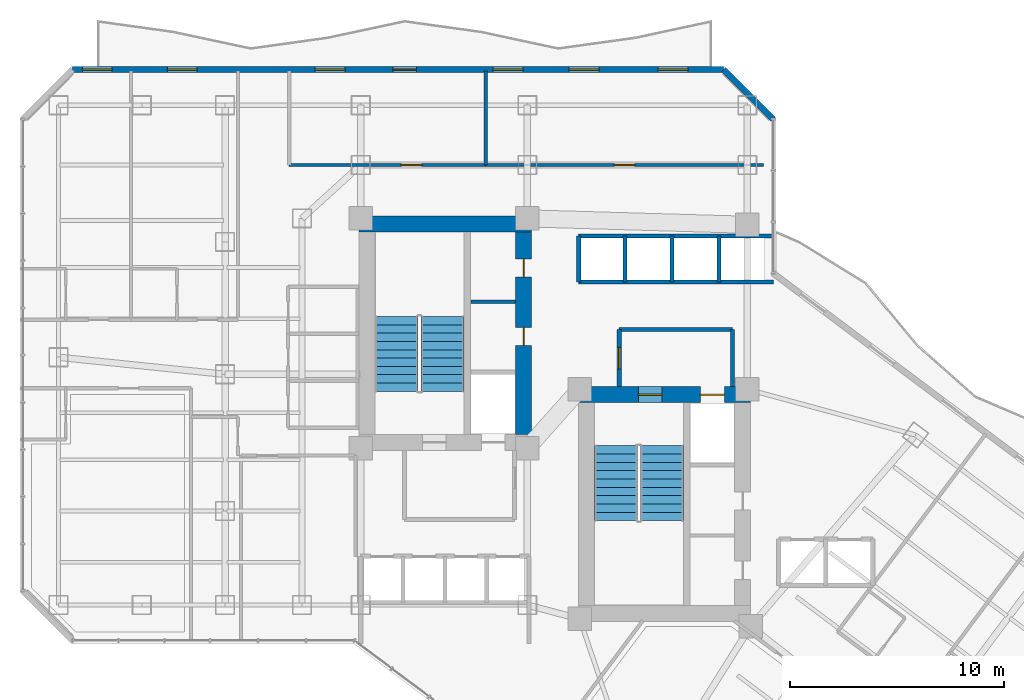
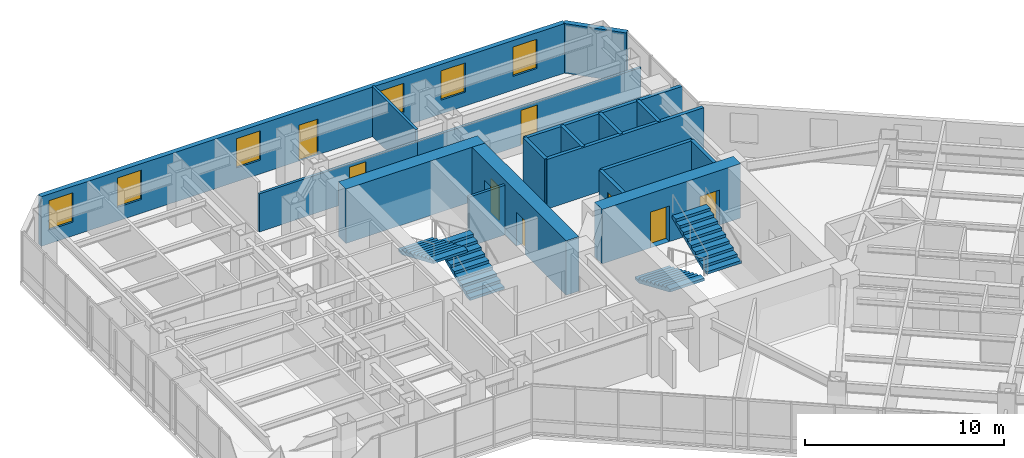
# One storey, part 31 of 36: 18 walls, 8 doors, 6 windows, 4 stair flights, 14 openings, 2 elements without a shape of their own.
"""IFC4 building model written with IfcOpenShell, lengths in metres."""

from ifc_helpers import new_model, si_unit, direction, frame, frame_2d, origin, place, context, subcontext, project, spatial, polyline, rectangle, outline, extrude, material, layer, layer_set, type_object, element, fill, aggregate, save


model = new_model("IFC4")

# Units and contexts
model_context = context("Model", 3, precision=1e-05, world=origin(), true_north=direction((0.0, 1.0)))
body_context = subcontext(model_context, "Body", "Model", "MODEL_VIEW")
ifc_project = project(units=[si_unit("LENGTHUNIT", "METRE"), si_unit("AREAUNIT", "SQUARE_METRE"), si_unit("VOLUMEUNIT", "CUBIC_METRE"), si_unit("PLANEANGLEUNIT", "RADIAN"), si_unit("MASSUNIT", "GRAM", prefix="KILO")], contexts=[model_context])

# Site, building, storey
site_placement = place(None, origin())
site = spatial("IfcSite", under=ifc_project, at=site_placement, CompositionType="ELEMENT")
building_placement = place(site_placement, origin())
building = spatial("IfcBuilding", under=site, at=building_placement, Name="Hatsunagi Terrace Concourse", CompositionType="ELEMENT")
storey_placement = place(building_placement, frame((0.0, 0.0, 88.0)))
storey = spatial("IfcBuildingStorey", under=building, at=storey_placement, Name="L23", CompositionType="ELEMENT", Elevation=88.0)

# Wall
ifc_material_1 = material(Name="Concrete Fc60", Category="concrete")
ifc_layer_1 = layer(ifc_material_1, 0.75)
ifc_layer_set_1 = layer_set([ifc_layer_1], Name="CoreShearWall_Fc60_750")
wall_type_1 = type_object("IfcWallType", Name="CoreShearWall_Fc60_750", PredefinedType="SHEAR", material=ifc_layer_set_1)
wall_1_placement = place(storey_placement, frame((25.469970703125, 43.044921875, 0.0), z_axis=(0.0, 0.0, 1.0), x_axis=(1.0, 0.0, 0.0)))
element("IfcWall", 1, at=wall_1_placement, inside=storey, type_object=wall_type_1, Name="Core A Shear Wall N L23", PredefinedType="SHEAR", context=body_context, shape_type="SweptSolid", body=[
    extrude(rectangle(XDim=8.080078125, YDim=0.75, at=frame_2d((4.0400390625, 0.0))), origin(), (0.0, 0.0, 1.0), 3.35009765625),
])

# Wall, openings, doors
wall_2_placement = place(storey_placement, frame((33.175048828125, 33.18994140625, 0.0), z_axis=(0.0, 0.0, 1.0), x_axis=(0.0, 1.0, 0.0)))
wall_2 = element("IfcWall", 2, at=wall_2_placement, inside=storey, type_object=wall_type_1, Name="Core A Shear Wall E L23", PredefinedType="SHEAR", context=body_context, shape_type="SweptSolid", body=[
    extrude(rectangle(XDim=9.47998046875, YDim=0.75, at=frame_2d((4.739990234375, 0.0))), origin(), (0.0, 0.0, 1.0), 3.35009765625),
])
opening_1_placement = place(wall_2_placement, frame((4.159912109375, 0.0, 0.0)))
opening_1 = element("IfcOpeningElement", 3, at=opening_1_placement, cuts=wall_2, Name="Opening DR-085", PredefinedType="OPENING", context=body_context, shape_type="SweptSolid", body=[
    extrude(rectangle(XDim=0.85009765625, YDim=2.080078125, at=frame_2d((0.425048828125, 1.0400390625))), frame((0.0, 0.385009765625, 0.0), z_axis=(0.0, -1.0, 0.0), x_axis=(1.0, 0.0, 0.0)), (0.0, 0.0, 1.0), 0.77001953125),
])
opening_2_placement = place(wall_2_placement, frame((7.360107421875, 0.0, 0.0)))
opening_2 = element("IfcOpeningElement", 4, at=opening_2_placement, cuts=wall_2, Name="Opening DR-085", PredefinedType="OPENING", context=body_context, shape_type="SweptSolid", body=[
    extrude(rectangle(XDim=0.85009765625, YDim=2.080078125, at=frame_2d((0.425048828125, 1.0400390625))), frame((0.0, 0.385009765625, 0.0), z_axis=(0.0, -1.0, 0.0), x_axis=(1.0, 0.0, 0.0)), (0.0, 0.0, 1.0), 0.77001953125),
])
ifc_material_2 = material(Name="Painted steel", Category="steel")
door_type_1 = type_object("IfcDoorType", Name="RiserAccessDoor_EI60_850", OperationType="NOTDEFINED", PredefinedType="DOOR", material=ifc_material_2)
door_1_placement = place(opening_1_placement, origin())
door_1 = element("IfcDoor", 5, at=door_1_placement, inside=storey, type_object=door_type_1, Name="Core A Riser Door L23-1", OperationType="SINGLE_SWING_LEFT", OverallHeight=2.080078125, OverallWidth=0.85009765625, PredefinedType="DOOR", context=body_context, shape_type="SweptSolid", body=[
    extrude(rectangle(XDim=0.85009765625, YDim=2.080078125, at=frame_2d((0.425048828125, 1.0400390625))), frame((0.0, 0.02490234375, 0.0), z_axis=(0.0, -1.0, 0.0), x_axis=(1.0, 0.0, 0.0)), (0.0, 0.0, 1.0), 0.050048828125),
])
fill(opening_1, door_1)
door_2_placement = place(opening_2_placement, origin())
door_2 = element("IfcDoor", 6, at=door_2_placement, inside=storey, type_object=door_type_1, Name="Core A Riser Door L23-2", OperationType="SINGLE_SWING_LEFT", OverallHeight=2.080078125, OverallWidth=0.85009765625, PredefinedType="DOOR", context=body_context, shape_type="SweptSolid", body=[
    extrude(rectangle(XDim=0.85009765625, YDim=2.080078125, at=frame_2d((0.425048828125, 1.0400390625))), frame((0.0, 0.02490234375, 0.0), z_axis=(0.0, -1.0, 0.0), x_axis=(1.0, 0.0, 0.0)), (0.0, 0.0, 1.0), 0.050048828125),
])
fill(opening_2, door_2)

wall_3_placement = place(storey_placement, frame((35.739990234375, 35.044921875, 0.0), z_axis=(0.0, 0.0, 1.0), x_axis=(1.0, 0.0, 0.0)))
wall_3 = element("IfcWall", 7, at=wall_3_placement, inside=storey, type_object=wall_type_1, Name="Core B Shear Wall N L23", PredefinedType="SHEAR", context=body_context, shape_type="SweptSolid", body=[
    extrude(rectangle(XDim=8.06005859375, YDim=0.75, at=frame_2d((4.030029296875, 0.0))), origin(), (0.0, 0.0, 1.0), 3.35009765625),
])
opening_3_placement = place(wall_3_placement, frame((2.81005859375, 0.0, 0.0)))
opening_3 = element("IfcOpeningElement", 8, at=opening_3_placement, cuts=wall_3, Name="Opening DR-110S", PredefinedType="OPENING", context=body_context, shape_type="SweptSolid", body=[
    extrude(rectangle(XDim=1.10009765625, YDim=2.199951171875, at=frame_2d((0.550048828125, 1.10009765625))), frame((0.0, 0.385009765625, 0.0), z_axis=(0.0, -1.0, 0.0), x_axis=(1.0, 0.0, 0.0)), (0.0, 0.0, 1.0), 0.77001953125),
])
opening_4_placement = place(wall_3_placement, frame((5.7099609375, 0.0, 0.0)))
opening_4 = element("IfcOpeningElement", 9, at=opening_4_placement, cuts=wall_3, Name="Opening LD-02", PredefinedType="OPENING", context=body_context, shape_type="SweptSolid", body=[
    extrude(rectangle(XDim=1.1201171875, YDim=2.14990234375, at=frame_2d((0.56005859375, 1.074951171875))), frame((0.0, 0.385009765625, 0.0), z_axis=(0.0, -1.0, 0.0), x_axis=(1.0, 0.0, 0.0)), (0.0, 0.0, 1.0), 0.77001953125),
])
ifc_material_3 = material(Name="Stainless steel", Category="steel")
door_type_2 = type_object("IfcDoorType", Name="LiftLandingDoor_LD02", OperationType="SLIDING_TO_RIGHT", PredefinedType="USERDEFINED", material=ifc_material_3)
door_3_placement = place(opening_4_placement, origin())
door_3 = element("IfcDoor", 10, at=door_3_placement, inside=storey, type_object=door_type_2, Name="Lift landing door FF-02 L23", ObjectType="SLIDING_LANDING_DOOR", OperationType="SLIDING_TO_RIGHT", OverallHeight=2.14990234375, OverallWidth=1.1201171875, PredefinedType="USERDEFINED", context=body_context, shape_type="SweptSolid", body=[
    extrude(rectangle(XDim=1.1201171875, YDim=2.14990234375, at=frame_2d((0.56005859375, 1.074951171875))), frame((0.0, 0.02490234375, 0.0), z_axis=(0.0, -1.0, 0.0), x_axis=(1.0, 0.0, 0.0)), (0.0, 0.0, 1.0), 0.050048828125),
])
fill(opening_4, door_3)
ifc_material_4 = material(Name="Painted steel", Category="steel")
door_type_3 = type_object("IfcDoorType", Name="StairFireDoor_EI60_1100", OperationType="NOTDEFINED", PredefinedType="DOOR", material=ifc_material_4)
door_4_placement = place(opening_3_placement, origin())
door_4 = element("IfcDoor", 11, at=door_4_placement, inside=storey, type_object=door_type_3, Name="Stair ST-B Exit Door L23", OperationType="SINGLE_SWING_RIGHT", OverallHeight=2.199951171875, OverallWidth=1.10009765625, PredefinedType="DOOR", context=body_context, shape_type="SweptSolid", body=[
    extrude(rectangle(XDim=1.10009765625, YDim=2.199951171875, at=frame_2d((0.550048828125, 1.10009765625))), frame((0.0, 0.02490234375, 0.0), z_axis=(0.0, -1.0, 0.0), x_axis=(1.0, 0.0, 0.0)), (0.0, 0.0, 1.0), 0.050048828125),
])
fill(opening_3, door_4)

# Wall
ifc_material_5 = material(Name="Acoustic mineral board", Category="gypsum")
ifc_layer_2 = layer(ifc_material_5, 0.14990234375)
ifc_layer_set_2 = layer_set([ifc_layer_2], Name="PartitionWall_EI60_150")
wall_type_2 = type_object("IfcWallType", Name="PartitionWall_EI60_150", PredefinedType="PARTITIONING", material=ifc_layer_set_2)
wall_4_placement = place(storey_placement, frame((30.699951171875, 39.39990234375, 0.0), z_axis=(0.0, 0.0, 1.0), x_axis=(1.0, 0.0, 0.0)))
element("IfcWall", 12, at=wall_4_placement, inside=storey, type_object=wall_type_2, Name="Interior Partition IW-L23-002", PredefinedType="PARTITIONING", context=body_context, shape_type="SweptSolid", body=[
    extrude(rectangle(XDim=2.10009765625, YDim=0.14990234375, at=frame_2d((1.050048828125, 0.0))), origin(), (0.0, 0.0, 1.0), 3.050048828125),
])

# Wall, opening, door
wall_5_placement = place(storey_placement, frame((22.199951171875, 45.800048828125, 0.0), z_axis=(0.0, 0.0, 1.0), x_axis=(1.0, 0.0, 0.0)))
wall_5 = element("IfcWall", 13, at=wall_5_placement, inside=storey, type_object=wall_type_2, Name="Interior Partition IW-L23-037", PredefinedType="PARTITIONING", context=body_context, shape_type="SweptSolid", body=[
    extrude(rectangle(XDim=9.199951171875, YDim=0.14990234375, at=frame_2d((4.60009765625, 0.0))), origin(), (0.0, 0.0, 1.0), 2.344970703125),
])
opening_5_placement = place(wall_5_placement, frame((5.248046875, 0.0, 0.0)))
opening_5 = element("IfcOpeningElement", 14, at=opening_5_placement, cuts=wall_5, Name="Opening DR-095", PredefinedType="OPENING", context=body_context, shape_type="SweptSolid", body=[
    extrude(rectangle(XDim=0.949951171875, YDim=2.14990234375, at=frame_2d((0.47509765625, 1.074951171875))), frame((0.0, 0.0849609375, 0.0), z_axis=(0.0, -1.0, 0.0), x_axis=(1.0, 0.0, 0.0)), (0.0, 0.0, 1.0), 0.169921875),
])
ifc_material_6 = material(Name="Hardwood timber", Category="wood")
door_type_4 = type_object("IfcDoorType", Name="InteriorSuiteDoor_EI30_950", OperationType="NOTDEFINED", PredefinedType="DOOR", material=ifc_material_6)
door_5_placement = place(opening_5_placement, origin())
door_5 = element("IfcDoor", 15, at=door_5_placement, inside=storey, type_object=door_type_4, Name="Housekeeping Linen Room L23-HLIN Door", OperationType="SINGLE_SWING_LEFT", OverallHeight=2.14990234375, OverallWidth=0.949951171875, PredefinedType="DOOR", context=body_context, shape_type="SweptSolid", body=[
    extrude(rectangle(XDim=0.949951171875, YDim=2.14990234375, at=frame_2d((0.47509765625, 1.074951171875))), frame((0.0, 0.02490234375, 0.0), z_axis=(0.0, -1.0, 0.0), x_axis=(1.0, 0.0, 0.0)), (0.0, 0.0, 1.0), 0.050048828125),
])
fill(opening_5, door_5)

# Wall
wall_6_placement = place(storey_placement, frame((31.39990234375, 45.800048828125, 0.0), z_axis=(0.0, 0.0, 1.0), x_axis=(0.0, 1.0, 0.0)))
element("IfcWall", 16, at=wall_6_placement, inside=storey, type_object=wall_type_2, Name="Interior Partition IW-L23-039", PredefinedType="PARTITIONING", context=body_context, shape_type="SweptSolid", body=[
    extrude(rectangle(XDim=4.39990234375, YDim=0.14990234375, at=frame_2d((2.199951171875, 0.0))), origin(), (0.0, 0.0, 1.0), 3.050048828125),
])

# Wall, opening, door
wall_7_placement = place(storey_placement, frame((31.39990234375, 45.800048828125, 0.0), z_axis=(0.0, 0.0, 1.0), x_axis=(1.0, 0.0, 0.0)))
wall_7 = element("IfcWall", 17, at=wall_7_placement, inside=storey, type_object=wall_type_2, Name="Interior Partition IW-L23-040", PredefinedType="PARTITIONING", context=body_context, shape_type="SweptSolid", body=[
    extrude(rectangle(XDim=13.0, YDim=0.14990234375, at=frame_2d((6.5, 0.0))), origin(), (0.0, 0.0, 1.0), 2.344970703125),
])
opening_6_placement = place(wall_7_placement, frame((6.02490234375, 0.0, 0.0)))
opening_6 = element("IfcOpeningElement", 18, at=opening_6_placement, cuts=wall_7, Name="Opening DR-095", PredefinedType="OPENING", context=body_context, shape_type="SweptSolid", body=[
    extrude(rectangle(XDim=0.949951171875, YDim=2.14990234375, at=frame_2d((0.47509765625, 1.074951171875))), frame((0.0, 0.0849609375, 0.0), z_axis=(0.0, -1.0, 0.0), x_axis=(1.0, 0.0, 0.0)), (0.0, 0.0, 1.0), 0.169921875),
])
door_6_placement = place(opening_6_placement, origin())
door_6 = element("IfcDoor", 19, at=door_6_placement, inside=storey, type_object=door_type_4, Name="VIP Lounge L23-HLNG Door", OperationType="SINGLE_SWING_LEFT", OverallHeight=2.14990234375, OverallWidth=0.949951171875, PredefinedType="DOOR", context=body_context, shape_type="SweptSolid", body=[
    extrude(rectangle(XDim=0.949951171875, YDim=2.14990234375, at=frame_2d((0.47509765625, 1.074951171875))), frame((0.0, 0.02490234375, 0.0), z_axis=(0.0, -1.0, 0.0), x_axis=(1.0, 0.0, 0.0)), (0.0, 0.0, 1.0), 0.050048828125),
])
fill(opening_6, door_6)

# Walls
ifc_material_7 = material(Name="Acoustic mineral board", Category="gypsum")
ifc_layer_3 = layer(ifc_material_7, 0.199951171875)
ifc_layer_set_3 = layer_set([ifc_layer_3], Name="ShaftWall_EI120_200")
wall_type_3 = type_object("IfcWallType", Name="ShaftWall_EI120_200", PredefinedType="STANDARD", material=ifc_layer_set_3)
wall_8_placement = place(storey_placement, frame((37.64990234375, 38.10009765625, 0.0), z_axis=(0.0, 0.0, 1.0), x_axis=(1.0, 0.0, 0.0)))
element("IfcWall", 20, at=wall_8_placement, inside=storey, type_object=wall_type_3, Name="Interior Partition IW-L23-008", PredefinedType="STANDARD", context=body_context, shape_type="SweptSolid", body=[
    extrude(rectangle(XDim=5.300048828125, YDim=0.199951171875, at=frame_2d((2.64990234375, 0.0))), origin(), (0.0, 0.0, 1.0), 3.050048828125),
])
wall_9_placement = place(storey_placement, frame((42.949951171875, 35.419921875, 0.0), z_axis=(0.0, 0.0, 1.0), x_axis=(0.0, 1.0, 0.0)))
element("IfcWall", 21, at=wall_9_placement, inside=storey, type_object=wall_type_3, Name="Interior Partition IW-L23-009", PredefinedType="STANDARD", context=body_context, shape_type="SweptSolid", body=[
    extrude(rectangle(XDim=2.68017578125, YDim=0.199951171875, at=frame_2d((1.340087890625, 0.0))), origin(), (0.0, 0.0, 1.0), 3.050048828125),
])

# Wall, opening, door
wall_10_placement = place(storey_placement, frame((37.64990234375, 35.419921875, 0.0), z_axis=(0.0, 0.0, 1.0), x_axis=(0.0, 1.0, 0.0)))
wall_10 = element("IfcWall", 22, at=wall_10_placement, inside=storey, type_object=wall_type_3, Name="Interior Partition IW-L23-010", PredefinedType="STANDARD", context=body_context, shape_type="SweptSolid", body=[
    extrude(rectangle(XDim=2.68017578125, YDim=0.199951171875, at=frame_2d((1.340087890625, 0.0))), origin(), (0.0, 0.0, 1.0), 3.050048828125),
])
opening_7_placement = place(wall_10_placement, frame((0.840087890625, 0.0, 0.0)))
opening_7 = element("IfcOpeningElement", 23, at=opening_7_placement, cuts=wall_10, Name="Opening DR-100F", PredefinedType="OPENING", context=body_context, shape_type="SweptSolid", body=[
    extrude(rectangle(XDim=1.0, YDim=2.199951171875, at=frame_2d((0.5, 1.10009765625))), frame((0.0, 0.10986328125, 0.0), z_axis=(0.0, -1.0, 0.0), x_axis=(1.0, 0.0, 0.0)), (0.0, 0.0, 1.0), 0.219970703125),
])
ifc_material_8 = material(Name="Painted steel", Category="steel")
door_type_5 = type_object("IfcDoorType", Name="FireDoor_EI60_1000", OperationType="NOTDEFINED", PredefinedType="DOOR", material=ifc_material_8)
door_7_placement = place(opening_7_placement, origin())
door_7 = element("IfcDoor", 24, at=door_7_placement, inside=storey, type_object=door_type_5, Name="Firefighting Lobby B Door L23", OperationType="SINGLE_SWING_RIGHT", OverallHeight=2.199951171875, OverallWidth=1.0, PredefinedType="DOOR", context=body_context, shape_type="SweptSolid", body=[
    extrude(rectangle(XDim=1.0, YDim=2.199951171875, at=frame_2d((0.5, 1.10009765625))), frame((0.0, 0.02490234375, 0.0), z_axis=(0.0, -1.0, 0.0), x_axis=(1.0, 0.0, 0.0)), (0.0, 0.0, 1.0), 0.050048828125),
])
fill(opening_7, door_7)

# Walls
wall_11_placement = place(storey_placement, frame((35.75, 42.47998046875, 0.0), z_axis=(0.0, 0.0, 1.0), x_axis=(1.0, 0.0, 0.0)))
element("IfcWall", 25, at=wall_11_placement, inside=storey, type_object=wall_type_3, Name="Interior Partition IW-L23-018", PredefinedType="STANDARD", context=body_context, shape_type="SweptSolid", body=[
    extrude(rectangle(XDim=9.110107421875, YDim=0.199951171875, at=frame_2d((4.55517578125, 0.0))), origin(), (0.0, 0.0, 1.0), 3.050048828125),
])
for number, where, z_axis, x_axis, name in (
    (26, (35.75, 40.320068359375, 0.0), (0.0, 0.0, 1.0), (0.0, 1.0, 0.0), "Interior Partition IW-L23-019"),
    (27, (37.919921875, 40.320068359375, 0.0), (0.0, 0.0, 1.0), (0.0, 1.0, 0.0), "Interior Partition IW-L23-020"),
    (28, (40.1201171875, 40.320068359375, 0.0), (0.0, 0.0, 1.0), (0.0, 1.0, 0.0), "Interior Partition IW-L23-021"),
    (29, (42.320068359375, 40.320068359375, 0.0), (0.0, 0.0, 1.0), (0.0, 1.0, 0.0), "Interior Partition IW-L23-022"),
):
    element("IfcWall", number, at=place(storey_placement, frame(where, z_axis=z_axis, x_axis=x_axis)), inside=storey, type_object=wall_type_3, Name=name, PredefinedType="STANDARD", context=body_context, shape_type="SweptSolid", body=[
        extrude(rectangle(XDim=2.159912109375, YDim=0.199951171875, at=frame_2d((1.080078125, 0.0))), origin(), (0.0, 0.0, 1.0), 3.050048828125),
    ])
wall_12_placement = place(storey_placement, frame((35.75, 40.320068359375, 0.0), z_axis=(0.0, 0.0, 1.0), x_axis=(1.0, 0.0, 0.0)))
element("IfcWall", 30, at=wall_12_placement, inside=storey, type_object=wall_type_3, Name="Interior Partition IW-L23-023", PredefinedType="STANDARD", context=body_context, shape_type="SweptSolid", body=[
    extrude(rectangle(XDim=9.110107421875, YDim=0.199951171875, at=frame_2d((4.55517578125, 0.0))), origin(), (0.0, 0.0, 1.0), 3.050048828125),
])

# Wall, openings, door, windows
ifc_material_9 = material(Name="Autoclaved Lightweight Concrete and Terracotta Cladding", Category="masonry")
ifc_layer_4 = layer(ifc_material_9, 0.280029296875)
ifc_layer_set_4 = layer_set([ifc_layer_4], Name="TerracottaSpandrelWall_280")
wall_type_4 = type_object("IfcWallType", Name="TerracottaSpandrelWall_280", PredefinedType="STANDARD", material=ifc_layer_set_4)
wall_13_placement = place(storey_placement, frame((12.05810546875, 50.260009765625, 0.0), z_axis=(0.0, 0.0, 1.0), x_axis=(1.0, 0.0, 0.0)))
wall_13 = element("IfcWall", 31, at=wall_13_placement, inside=storey, type_object=wall_type_4, Name="Exterior Spandrel Wall EW-L23-11", PredefinedType="STANDARD", context=body_context, shape_type="SweptSolid", body=[
    extrude(rectangle(XDim=30.48388671875, YDim=0.280029296875, at=frame_2d((15.241943359375, 0.0))), origin(), (0.0, 0.0, 1.0), 3.050048828125),
])
opening_8_placement = place(wall_13_placement, frame((14.991943359375, 0.0, 0.0)))
opening_8 = element("IfcOpeningElement", 32, at=opening_8_placement, cuts=wall_13, Name="Opening BD-01", PredefinedType="OPENING", context=body_context, shape_type="SweptSolid", body=[
    extrude(rectangle(XDim=1.10009765625, YDim=2.199951171875, at=frame_2d((0.550048828125, 1.10009765625))), frame((0.0, 0.14990234375, 0.0), z_axis=(0.0, -1.0, 0.0), x_axis=(1.0, 0.0, 0.0)), (0.0, 0.0, 1.0), 0.300048828125),
])
opening_9_placement = place(wall_13_placement, frame((0.4599609375, 0.0, 0.85009765625)))
opening_9 = element("IfcOpeningElement", 33, at=opening_9_placement, cuts=wall_13, Name="Opening WIN-02", PredefinedType="OPENING", context=body_context, shape_type="SweptSolid", body=[
    extrude(rectangle(XDim=1.39990234375, YDim=1.800048828125, at=frame_2d((0.699951171875, 0.89990234375))), frame((0.0, 0.14990234375, 0.0), z_axis=(0.0, -1.0, 0.0), x_axis=(1.0, 0.0, 0.0)), (0.0, 0.0, 1.0), 0.300048828125),
])
opening_10_placement = place(wall_13_placement, frame((4.43505859375, 0.0, 0.85009765625)))
opening_10 = element("IfcOpeningElement", 34, at=opening_10_placement, cuts=wall_13, Name="Opening WIN-02", PredefinedType="OPENING", context=body_context, shape_type="SweptSolid", body=[
    extrude(rectangle(XDim=1.39990234375, YDim=1.800048828125, at=frame_2d((0.699951171875, 0.89990234375))), frame((0.0, 0.14990234375, 0.0), z_axis=(0.0, -1.0, 0.0), x_axis=(1.0, 0.0, 0.0)), (0.0, 0.0, 1.0), 0.300048828125),
])
opening_11_placement = place(wall_13_placement, frame((11.361083984375, 0.0, 0.85009765625)))
opening_11 = element("IfcOpeningElement", 35, at=opening_11_placement, cuts=wall_13, Name="Opening WIN-02", PredefinedType="OPENING", context=body_context, shape_type="SweptSolid", body=[
    extrude(rectangle(XDim=1.39990234375, YDim=1.800048828125, at=frame_2d((0.699951171875, 0.89990234375))), frame((0.0, 0.14990234375, 0.0), z_axis=(0.0, -1.0, 0.0), x_axis=(1.0, 0.0, 0.0)), (0.0, 0.0, 1.0), 0.300048828125),
])
opening_12_placement = place(wall_13_placement, frame((19.693115234375, 0.0, 0.85009765625)))
opening_12 = element("IfcOpeningElement", 36, at=opening_12_placement, cuts=wall_13, Name="Opening WIN-02", PredefinedType="OPENING", context=body_context, shape_type="SweptSolid", body=[
    extrude(rectangle(XDim=1.39990234375, YDim=1.800048828125, at=frame_2d((0.699951171875, 0.89990234375))), frame((0.0, 0.14990234375, 0.0), z_axis=(0.0, -1.0, 0.0), x_axis=(1.0, 0.0, 0.0)), (0.0, 0.0, 1.0), 0.300048828125),
])
opening_13_placement = place(wall_13_placement, frame((23.251953125, 0.0, 0.85009765625)))
opening_13 = element("IfcOpeningElement", 37, at=opening_13_placement, cuts=wall_13, Name="Opening WIN-02", PredefinedType="OPENING", context=body_context, shape_type="SweptSolid", body=[
    extrude(rectangle(XDim=1.39990234375, YDim=1.800048828125, at=frame_2d((0.699951171875, 0.89990234375))), frame((0.0, 0.14990234375, 0.0), z_axis=(0.0, -1.0, 0.0), x_axis=(1.0, 0.0, 0.0)), (0.0, 0.0, 1.0), 0.300048828125),
])
opening_14_placement = place(wall_13_placement, frame((27.4169921875, 0.0, 0.85009765625)))
opening_14 = element("IfcOpeningElement", 38, at=opening_14_placement, cuts=wall_13, Name="Opening WIN-02", PredefinedType="OPENING", context=body_context, shape_type="SweptSolid", body=[
    extrude(rectangle(XDim=1.39990234375, YDim=1.800048828125, at=frame_2d((0.699951171875, 0.89990234375))), frame((0.0, 0.14990234375, 0.0), z_axis=(0.0, -1.0, 0.0), x_axis=(1.0, 0.0, 0.0)), (0.0, 0.0, 1.0), 0.300048828125),
])
ifc_material_10 = material(Name="Galvanised Steel and Laminated Safety Glass", Category="steel")
door_type_6 = type_object("IfcDoorType", Name="BalconyTerraceAccessDoor_1100x2200", OperationType="SINGLE_SWING_LEFT", PredefinedType="DOOR", material=ifc_material_10)
door_8_placement = place(opening_8_placement, origin())
door_8 = element("IfcDoor", 39, at=door_8_placement, inside=storey, type_object=door_type_6, Name="Engawa Balcony Door L23-BN", OperationType="SINGLE_SWING_RIGHT", OverallHeight=2.199951171875, OverallWidth=1.10009765625, PredefinedType="DOOR", context=body_context, shape_type="SweptSolid", body=[
    extrude(rectangle(XDim=1.10009765625, YDim=2.199951171875, at=frame_2d((0.550048828125, 1.10009765625))), frame((0.0, 0.02490234375, 0.0), z_axis=(0.0, -1.0, 0.0), x_axis=(1.0, 0.0, 0.0)), (0.0, 0.0, 1.0), 0.050048828125),
])
fill(opening_8, door_8)
ifc_material_11 = material(Name="Thermally Broken Aluminium and Low-E Triple Glazing", Category="aluminium")
window_type = type_object("IfcWindowType", Name="HotelOperableVentWindow_1400x1800", PartitioningType="DOUBLE_PANEL_VERTICAL", PredefinedType="WINDOW", material=ifc_material_11)
window_1_placement = place(opening_9_placement, origin())
window_1 = element("IfcWindow", 40, at=window_1_placement, inside=storey, type_object=window_type, Name="Balcony Daylighting Window L23-11-1", OverallHeight=1.800048828125, OverallWidth=1.39990234375, PartitioningType="SINGLE_PANEL", PredefinedType="WINDOW", context=body_context, shape_type="SweptSolid", body=[
    extrude(rectangle(XDim=1.39990234375, YDim=1.800048828125, at=frame_2d((0.699951171875, 0.89990234375))), frame((0.0, 0.030029296875, 0.0), z_axis=(0.0, -1.0, 0.0), x_axis=(1.0, 0.0, 0.0)), (0.0, 0.0, 1.0), 0.06005859375),
])
fill(opening_9, window_1)
window_2_placement = place(opening_10_placement, origin())
window_2 = element("IfcWindow", 41, at=window_2_placement, inside=storey, type_object=window_type, Name="Balcony Daylighting Window L23-11-2", OverallHeight=1.800048828125, OverallWidth=1.39990234375, PartitioningType="SINGLE_PANEL", PredefinedType="WINDOW", context=body_context, shape_type="SweptSolid", body=[
    extrude(rectangle(XDim=1.39990234375, YDim=1.800048828125, at=frame_2d((0.699951171875, 0.89990234375))), frame((0.0, 0.030029296875, 0.0), z_axis=(0.0, -1.0, 0.0), x_axis=(1.0, 0.0, 0.0)), (0.0, 0.0, 1.0), 0.06005859375),
])
fill(opening_10, window_2)
window_3_placement = place(opening_11_placement, origin())
window_3 = element("IfcWindow", 42, at=window_3_placement, inside=storey, type_object=window_type, Name="Balcony Daylighting Window L23-11-3", OverallHeight=1.800048828125, OverallWidth=1.39990234375, PartitioningType="SINGLE_PANEL", PredefinedType="WINDOW", context=body_context, shape_type="SweptSolid", body=[
    extrude(rectangle(XDim=1.39990234375, YDim=1.800048828125, at=frame_2d((0.699951171875, 0.89990234375))), frame((0.0, 0.030029296875, 0.0), z_axis=(0.0, -1.0, 0.0), x_axis=(1.0, 0.0, 0.0)), (0.0, 0.0, 1.0), 0.06005859375),
])
fill(opening_11, window_3)
window_4_placement = place(opening_12_placement, origin())
window_4 = element("IfcWindow", 43, at=window_4_placement, inside=storey, type_object=window_type, Name="Balcony Daylighting Window L23-11-5", OverallHeight=1.800048828125, OverallWidth=1.39990234375, PartitioningType="SINGLE_PANEL", PredefinedType="WINDOW", context=body_context, shape_type="SweptSolid", body=[
    extrude(rectangle(XDim=1.39990234375, YDim=1.800048828125, at=frame_2d((0.699951171875, 0.89990234375))), frame((0.0, 0.030029296875, 0.0), z_axis=(0.0, -1.0, 0.0), x_axis=(1.0, 0.0, 0.0)), (0.0, 0.0, 1.0), 0.06005859375),
])
fill(opening_12, window_4)
window_5_placement = place(opening_13_placement, origin())
window_5 = element("IfcWindow", 44, at=window_5_placement, inside=storey, type_object=window_type, Name="Balcony Daylighting Window L23-11-6", OverallHeight=1.800048828125, OverallWidth=1.39990234375, PartitioningType="SINGLE_PANEL", PredefinedType="WINDOW", context=body_context, shape_type="SweptSolid", body=[
    extrude(rectangle(XDim=1.39990234375, YDim=1.800048828125, at=frame_2d((0.699951171875, 0.89990234375))), frame((0.0, 0.030029296875, 0.0), z_axis=(0.0, -1.0, 0.0), x_axis=(1.0, 0.0, 0.0)), (0.0, 0.0, 1.0), 0.06005859375),
])
fill(opening_13, window_5)
window_6_placement = place(opening_14_placement, origin())
window_6 = element("IfcWindow", 45, at=window_6_placement, inside=storey, type_object=window_type, Name="Balcony Daylighting Window L23-11-7", OverallHeight=1.800048828125, OverallWidth=1.39990234375, PartitioningType="SINGLE_PANEL", PredefinedType="WINDOW", context=body_context, shape_type="SweptSolid", body=[
    extrude(rectangle(XDim=1.39990234375, YDim=1.800048828125, at=frame_2d((0.699951171875, 0.89990234375))), frame((0.0, 0.030029296875, 0.0), z_axis=(0.0, -1.0, 0.0), x_axis=(1.0, 0.0, 0.0)), (0.0, 0.0, 1.0), 0.06005859375),
])
fill(opening_14, window_6)

# Wall
wall_14_placement = place(storey_placement, frame((42.5419921875, 50.260009765625, 0.0), z_axis=(0.0, 0.0, 1.0), x_axis=(0.707106781187, -0.707106781187, 0.0)))
element("IfcWall", 46, at=wall_14_placement, inside=storey, type_object=wall_type_4, Name="Exterior Spandrel Wall EW-L23-12", PredefinedType="STANDARD", context=body_context, shape_type="SweptSolid", body=[
    extrude(rectangle(XDim=3.2783203125, YDim=0.280029296875, at=frame_2d((1.63916015625, 0.0))), origin(), (0.0, 0.0, 1.0), 3.050048828125),
])

# Stair, stair flights
ifc_material_12 = material(Name="Concrete Fc42", Category="concrete")
stair_type = type_object("IfcStairType", Name="DoglegExitStair_Tower2000_20R_167", PredefinedType="HALF_TURN_STAIR", material=ifc_material_12)
stair_1_placement = place(storey_placement, origin())
stair_1 = element("IfcStair", 47, at=stair_1_placement, inside=storey, type_object=stair_type, Name="L23 Core A Protected Exit Stair ST-A", PredefinedType="HALF_TURN_STAIR")
ifc_material_13 = material(Name="Concrete Fc42", Category="concrete")
stair_flight_type = type_object("IfcStairFlightType", Name="DoglegStairFlight_Tower2000_20R_167", PredefinedType="STRAIGHT", material=ifc_material_13)
stair_flight_1_placement = place(storey_placement, frame((29.3798828125, 35.199951171875, 0.0), z_axis=(0.0, 0.0, 1.0), x_axis=(0.0, 1.0, 0.0)))
stair_flight_1 = element("IfcStairFlight", 48, at=stair_flight_1_placement, type_object=stair_flight_type, Name="ST-A flight 1", NumberOfRisers=10, NumberOfTreads=9, PredefinedType="STRAIGHT", RiserHeight=0.1675, TreadLength=0.39, context=body_context, shape_type="SweptSolid", body=[
    extrude(outline(polyline([(0.0, 0.0), (0.0, 0.16748046875), (0.389892578125, 0.16748046875), (0.389892578125, 0.3349609375), (0.780029296875, 0.3349609375), (0.780029296875, 0.50244140625), (1.169921875, 0.50244140625), (1.169921875, 0.669921875), (1.56005859375, 0.669921875), (1.56005859375, 0.83740234375), (1.949951171875, 0.83740234375), (1.949951171875, 1.0048828125), (2.340087890625, 1.0048828125), (2.340087890625, 1.172607421875), (2.72998046875, 1.172607421875), (2.72998046875, 1.340087890625), (3.1201171875, 1.340087890625), (3.1201171875, 1.507568359375), (3.510009765625, 1.507568359375), (3.510009765625, 1.675048828125), (3.510009765625, 1.34423828125), (0.3798828125, 0.0), (0.0, 0.0)])), frame((0.0, 1.0, 0.0), z_axis=(0.0, -1.0, 0.0), x_axis=(1.0, 0.0, 0.0)), (0.0, 0.0, 1.0), 2.0),
])
stair_flight_2_placement = place(storey_placement, frame((27.22998046875, 38.7099609375, 1.675048828125), z_axis=(0.0, 0.0, 1.0), x_axis=(0.0, -1.0, 0.0)))
stair_flight_2 = element("IfcStairFlight", 49, at=stair_flight_2_placement, type_object=stair_flight_type, Name="ST-A flight 2", NumberOfRisers=10, NumberOfTreads=9, PredefinedType="STRAIGHT", RiserHeight=0.1675, TreadLength=0.39, context=body_context, shape_type="SweptSolid", body=[
    extrude(outline(polyline([(0.0, 0.0), (0.0, 0.16748046875), (0.389892578125, 0.16748046875), (0.389892578125, 0.3349609375), (0.780029296875, 0.3349609375), (0.780029296875, 0.50244140625), (1.169921875, 0.50244140625), (1.169921875, 0.669921875), (1.56005859375, 0.669921875), (1.56005859375, 0.83740234375), (1.949951171875, 0.83740234375), (1.949951171875, 1.0048828125), (2.340087890625, 1.0048828125), (2.340087890625, 1.172607421875), (2.72998046875, 1.172607421875), (2.72998046875, 1.340087890625), (3.1201171875, 1.340087890625), (3.1201171875, 1.507568359375), (3.510009765625, 1.507568359375), (3.510009765625, 1.675048828125), (3.510009765625, 1.34423828125), (0.3798828125, 0.0), (0.0, 0.0)])), frame((0.0, 1.0, 0.0), z_axis=(0.0, -1.0, 0.0), x_axis=(1.0, 0.0, 0.0)), (0.0, 0.0, 1.0), 2.0),
])
aggregate(stair_1, [stair_flight_1, stair_flight_2])

stair_2_placement = place(storey_placement, origin())
stair_2 = element("IfcStair", 50, at=stair_2_placement, inside=storey, type_object=stair_type, Name="L23 Core B Protected Exit Stair ST-B", PredefinedType="HALF_TURN_STAIR")
stair_flight_3_placement = place(storey_placement, frame((37.5, 32.659912109375, 0.0), z_axis=(0.0, 0.0, 1.0), x_axis=(0.0, -1.0, 0.0)))
stair_flight_3 = element("IfcStairFlight", 51, at=stair_flight_3_placement, type_object=stair_flight_type, Name="ST-B flight 1", NumberOfRisers=10, NumberOfTreads=9, PredefinedType="STRAIGHT", RiserHeight=0.1675, TreadLength=0.39, context=body_context, shape_type="SweptSolid", body=[
    extrude(outline(polyline([(0.0, 0.0), (0.0, 0.16748046875), (0.389892578125, 0.16748046875), (0.389892578125, 0.3349609375), (0.780029296875, 0.3349609375), (0.780029296875, 0.50244140625), (1.169921875, 0.50244140625), (1.169921875, 0.669921875), (1.56005859375, 0.669921875), (1.56005859375, 0.83740234375), (1.949951171875, 0.83740234375), (1.949951171875, 1.0048828125), (2.340087890625, 1.0048828125), (2.340087890625, 1.172607421875), (2.72998046875, 1.172607421875), (2.72998046875, 1.340087890625), (3.1201171875, 1.340087890625), (3.1201171875, 1.507568359375), (3.510009765625, 1.507568359375), (3.510009765625, 1.675048828125), (3.510009765625, 1.34423828125), (0.3798828125, 0.0), (0.0, 0.0)])), frame((0.0, 1.0, 0.0), z_axis=(0.0, -1.0, 0.0), x_axis=(1.0, 0.0, 0.0)), (0.0, 0.0, 1.0), 2.0),
])
stair_flight_4_placement = place(storey_placement, frame((39.64990234375, 29.14990234375, 1.675048828125), z_axis=(0.0, 0.0, 1.0), x_axis=(0.0, 1.0, 0.0)))
stair_flight_4 = element("IfcStairFlight", 52, at=stair_flight_4_placement, type_object=stair_flight_type, Name="ST-B flight 2", NumberOfRisers=10, NumberOfTreads=9, PredefinedType="STRAIGHT", RiserHeight=0.1675, TreadLength=0.39, context=body_context, shape_type="SweptSolid", body=[
    extrude(outline(polyline([(0.0, 0.0), (0.0, 0.16748046875), (0.389892578125, 0.16748046875), (0.389892578125, 0.3349609375), (0.780029296875, 0.3349609375), (0.780029296875, 0.50244140625), (1.169921875, 0.50244140625), (1.169921875, 0.669921875), (1.56005859375, 0.669921875), (1.56005859375, 0.83740234375), (1.949951171875, 0.83740234375), (1.949951171875, 1.0048828125), (2.340087890625, 1.0048828125), (2.340087890625, 1.172607421875), (2.72998046875, 1.172607421875), (2.72998046875, 1.340087890625), (3.1201171875, 1.340087890625), (3.1201171875, 1.507568359375), (3.510009765625, 1.507568359375), (3.510009765625, 1.675048828125), (3.510009765625, 1.34423828125), (0.3798828125, 0.0), (0.0, 0.0)])), frame((0.0, 1.0, 0.0), z_axis=(0.0, -1.0, 0.0), x_axis=(1.0, 0.0, 0.0)), (0.0, 0.0, 1.0), 2.0),
])
aggregate(stair_2, [stair_flight_3, stair_flight_4])

save(model, "model.ifc")
